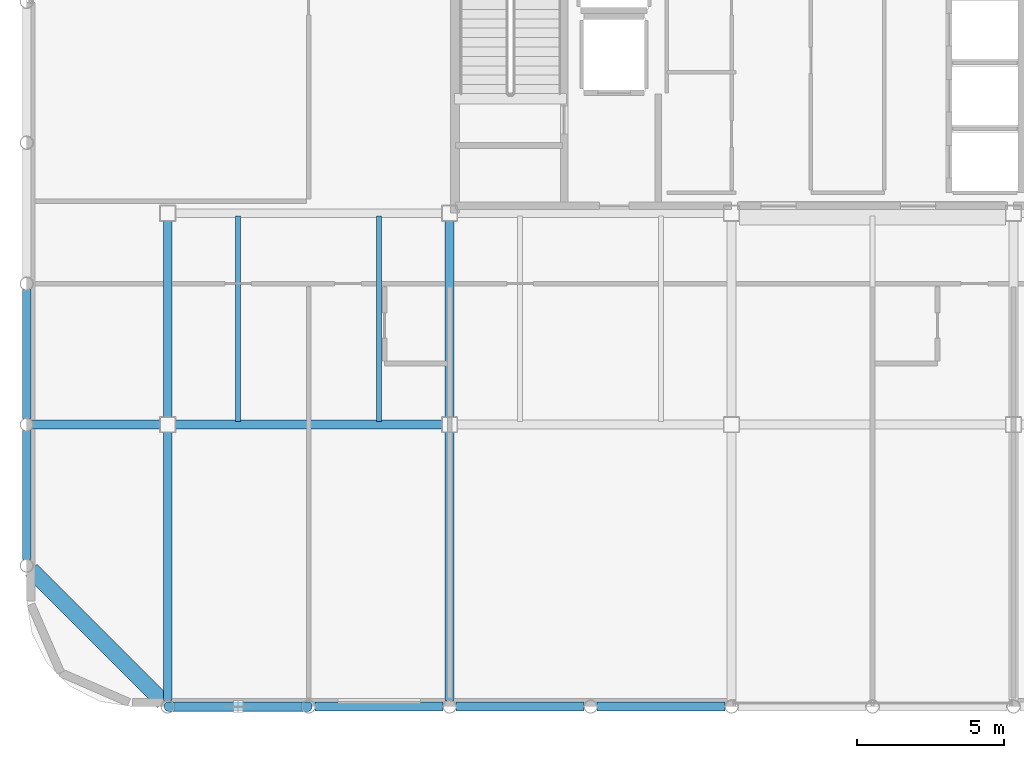
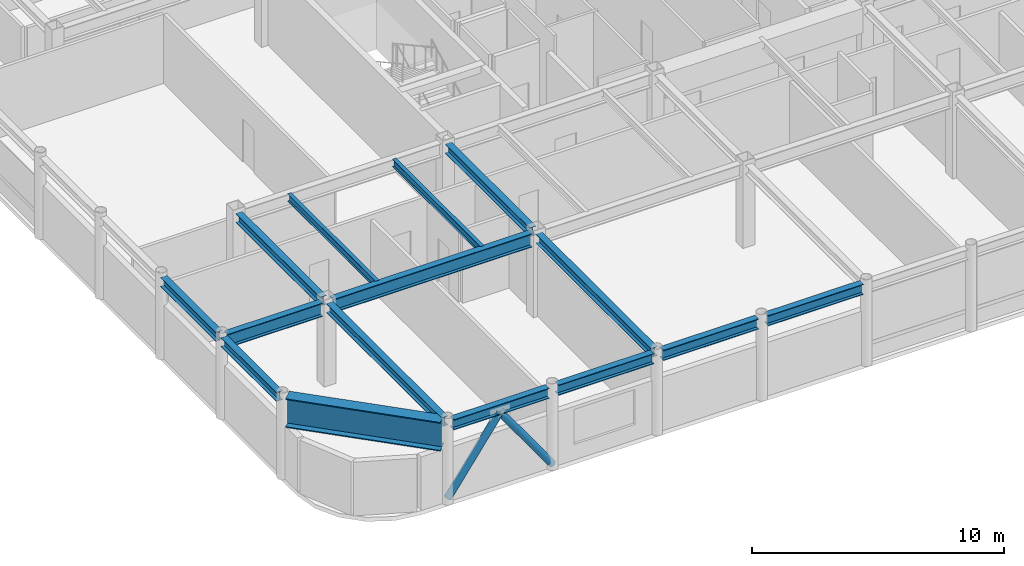
# One storey, part 4 of 21: 15 beams, 2 members.
"""IFC4 building model written with IfcOpenShell, lengths in metres."""

from ifc_helpers import new_model, si_unit, direction, frame, origin, origin_2d, place, context, subcontext, project, spatial, hollow_circle, i_section, extrude, material, material_profile, profile_set, type_object, element, save


model = new_model("IFC4")

# Units and contexts
model_context = context("Model", 3, precision=1e-05, world=origin(), true_north=direction((0.0, 1.0)))
body_context = subcontext(model_context, "Body", "Model", "MODEL_VIEW")
ifc_project = project(units=[si_unit("LENGTHUNIT", "METRE"), si_unit("AREAUNIT", "SQUARE_METRE"), si_unit("VOLUMEUNIT", "CUBIC_METRE"), si_unit("PLANEANGLEUNIT", "RADIAN"), si_unit("MASSUNIT", "GRAM", prefix="KILO")], contexts=[model_context])

# Site, building, storey
site_placement = place(None, origin())
site = spatial("IfcSite", under=ifc_project, at=site_placement, CompositionType="ELEMENT")
building_placement = place(site_placement, origin())
building = spatial("IfcBuilding", under=site, at=building_placement, Name="Kallvorn Hotel Tower", CompositionType="ELEMENT")
storey_placement = place(building_placement, frame((0.0, 0.0, 286.39990234375)))
storey = spatial("IfcBuildingStorey", under=building, at=storey_placement, Name="L71", CompositionType="ELEMENT", Elevation=286.39990234375)

# Beams
ifc_material_1 = material(Name="Structural steel S355JR", Category="steel")
ifc_material_profile_1 = material_profile(ifc_material_1, i_section(OverallWidth=0.300048828125, OverallDepth=0.43994140625, WebThickness=0.011474609375, FlangeThickness=0.02099609375, at=origin_2d()), Name="HE 450 A")
ifc_profile_set_1 = profile_set([ifc_material_profile_1], Name="Structural steel S355JR")
beam_type_1 = type_object("IfcBeamType", Name="BM_HE450A", PredefinedType="BEAM", material=ifc_profile_set_1)
for number, where, z_axis, x_axis, name in (
    (1, (-28.800048828125, -18.99658203125, 3.780029296875), (0.0, 1.0, 0.0), (-1.0, 0.0, 0.0), "L72 Primary Y-Girder 25"),
    (2, (-28.800048828125, -14.196533203125, 3.780029296875), (0.0, 1.0, 0.0), (-1.0, 0.0, 0.0), "L72 Primary Y-Girder 26"),
):
    element("IfcBeam", number, at=place(storey_placement, frame(where, z_axis=z_axis, x_axis=x_axis)), inside=storey, type_object=beam_type_1, Name=name, PredefinedType="BEAM", context=body_context, shape_type="SweptSolid", body=[
        extrude(i_section(OverallWidth=0.300048828125, OverallDepth=0.43994140625, WebThickness=0.011474609375, FlangeThickness=0.02099609375, at=origin_2d()), origin(), (0.0, 0.0, 1.0), 4.39306640625),
    ])
beam_1_placement = place(storey_placement, frame((-24.0, -23.79638671875, 3.780029296875), z_axis=(0.0, 1.0, 0.0), x_axis=(-1.0, 0.0, 0.0)))
element("IfcBeam", 3, at=beam_1_placement, inside=storey, type_object=beam_type_1, Name="L72 Primary Y-Girder 31", PredefinedType="BEAM", context=body_context, shape_type="SweptSolid", body=[
    extrude(i_section(OverallWidth=0.300048828125, OverallDepth=0.43994140625, WebThickness=0.011474609375, FlangeThickness=0.02099609375, at=origin_2d()), origin(), (0.0, 0.0, 1.0), 9.146484375),
])
beam_2_placement = place(storey_placement, frame((-24.0, -14.14990234375, 3.780029296875), z_axis=(0.0, 1.0, 0.0), x_axis=(-1.0, 0.0, 0.0)))
element("IfcBeam", 4, at=beam_2_placement, inside=storey, type_object=beam_type_1, Name="L72 Primary Y-Girder 32", PredefinedType="BEAM", context=body_context, shape_type="SweptSolid", body=[
    extrude(i_section(OverallWidth=0.300048828125, OverallDepth=0.43994140625, WebThickness=0.011474609375, FlangeThickness=0.02099609375, at=origin_2d()), origin(), (0.0, 0.0, 1.0), 6.699951171875),
])
beam_3_placement = place(storey_placement, frame((-14.39990234375, -23.79638671875, 3.780029296875), z_axis=(0.0, 1.0, 0.0), x_axis=(-1.0, 0.0, 0.0)))
element("IfcBeam", 5, at=beam_3_placement, inside=storey, type_object=beam_type_1, Name="L72 Primary Y-Girder 34", PredefinedType="BEAM", context=body_context, shape_type="SweptSolid", body=[
    extrude(i_section(OverallWidth=0.300048828125, OverallDepth=0.43994140625, WebThickness=0.011474609375, FlangeThickness=0.02099609375, at=origin_2d()), origin(), (0.0, 0.0, 1.0), 9.146484375),
])
beam_4_placement = place(storey_placement, frame((-14.39990234375, -14.14990234375, 3.780029296875), z_axis=(0.0, 1.0, 0.0), x_axis=(-1.0, 0.0, 0.0)))
element("IfcBeam", 6, at=beam_4_placement, inside=storey, type_object=beam_type_1, Name="L72 Primary Y-Girder 35", PredefinedType="BEAM", context=body_context, shape_type="SweptSolid", body=[
    extrude(i_section(OverallWidth=0.300048828125, OverallDepth=0.43994140625, WebThickness=0.011474609375, FlangeThickness=0.02099609375, at=origin_2d()), origin(), (0.0, 0.0, 1.0), 6.699951171875),
])
ifc_material_2 = material(Name="Structural steel S355JR", Category="steel")
ifc_material_profile_2 = material_profile(ifc_material_2, i_section(OverallWidth=0.300048828125, OverallDepth=0.5, WebThickness=0.014404296875, FlangeThickness=0.028076171875, at=origin_2d()), Name="HE 500 B")
ifc_profile_set_2 = profile_set([ifc_material_profile_2], Name="Structural steel S355JR")
beam_type_2 = type_object("IfcBeamType", Name="BM_HE500B", PredefinedType="SPANDREL", material=ifc_profile_set_2)
for number, where, z_axis, x_axis, name in (
    (7, (-23.781494140625, -24.0, 3.75), (1.0, 0.0, 0.0), (0.0, 1.0, 0.0), "L72 Perimeter Spandrel 54"),
    (8, (-18.9814453125, -24.0, 3.75), (1.0, 0.0, 0.0), (0.0, 1.0, 0.0), "L72 Perimeter Spandrel 55"),
):
    element("IfcBeam", number, at=place(storey_placement, frame(where, z_axis=z_axis, x_axis=x_axis)), inside=storey, type_object=beam_type_2, Name=name, PredefinedType="SPANDREL", context=body_context, shape_type="SweptSolid", body=[
        extrude(i_section(OverallWidth=0.300048828125, OverallDepth=0.5, WebThickness=0.014404296875, FlangeThickness=0.028076171875, at=origin_2d()), origin(), (0.0, 0.0, 1.0), 4.363037109375),
    ])
beam_5_placement = place(storey_placement, frame((-14.181396484375, -24.0, 3.75), z_axis=(1.0, 0.0, 0.0), x_axis=(0.0, 1.0, 0.0)))
element("IfcBeam", 9, at=beam_5_placement, inside=storey, type_object=beam_type_2, Name="L72 Perimeter Spandrel 56", PredefinedType="SPANDREL", context=body_context, shape_type="SweptSolid", body=[
    extrude(i_section(OverallWidth=0.300048828125, OverallDepth=0.5, WebThickness=0.014404296875, FlangeThickness=0.028076171875, at=origin_2d()), origin(), (0.0, 0.0, 1.0), 4.36279296875),
])
beam_6_placement = place(storey_placement, frame((-9.381591796875, -24.0, 3.75), z_axis=(1.0, 0.0, 0.0), x_axis=(0.0, 1.0, 0.0)))
element("IfcBeam", 10, at=beam_6_placement, inside=storey, type_object=beam_type_2, Name="L72 Perimeter Spandrel 57", PredefinedType="SPANDREL", context=body_context, shape_type="SweptSolid", body=[
    extrude(i_section(OverallWidth=0.300048828125, OverallDepth=0.5, WebThickness=0.014404296875, FlangeThickness=0.028076171875, at=origin_2d()), origin(), (0.0, 0.0, 1.0), 4.363037109375),
])
ifc_material_3 = material(Name="Structural steel S355JR", Category="steel")
ifc_material_profile_3 = material_profile(ifc_material_3, i_section(OverallWidth=0.300048828125, OverallDepth=0.64990234375, WebThickness=0.01611328125, FlangeThickness=0.031005859375, at=origin_2d()), Name="HE 650 B")
ifc_profile_set_3 = profile_set([ifc_material_profile_3], Name="Structural steel S355JR")
beam_type_3 = type_object("IfcBeamType", Name="BM_HE650B", PredefinedType="BEAM", material=ifc_profile_set_3)
beam_7_placement = place(storey_placement, frame((-28.596435546875, -14.39990234375, 3.675048828125), z_axis=(1.0, 0.0, 0.0), x_axis=(0.0, 1.0, 0.0)))
element("IfcBeam", 11, at=beam_7_placement, inside=storey, type_object=beam_type_3, Name="L72 Primary X-Girder 01", PredefinedType="BEAM", context=body_context, shape_type="SweptSolid", body=[
    extrude(i_section(OverallWidth=0.300048828125, OverallDepth=0.64990234375, WebThickness=0.01611328125, FlangeThickness=0.031005859375, at=origin_2d()), origin(), (0.0, 0.0, 1.0), 4.346435546875),
])
beam_8_placement = place(storey_placement, frame((-23.75, -14.39990234375, 3.675048828125), z_axis=(1.0, 0.0, 0.0), x_axis=(0.0, 1.0, 0.0)))
element("IfcBeam", 12, at=beam_8_placement, inside=storey, type_object=beam_type_3, Name="L72 Primary X-Girder 02", PredefinedType="BEAM", context=body_context, shape_type="SweptSolid", body=[
    extrude(i_section(OverallWidth=0.300048828125, OverallDepth=0.64990234375, WebThickness=0.01611328125, FlangeThickness=0.031005859375, at=origin_2d()), origin(), (0.0, 0.0, 1.0), 9.10009765625),
])
ifc_material_4 = material(Name="Structural steel S355JR", Category="steel")
ifc_material_profile_4 = material_profile(ifc_material_4, i_section(OverallWidth=0.169921875, OverallDepth=0.360107421875, WebThickness=0.008056640625, FlangeThickness=0.0126953125, at=origin_2d()), Name="IPE 360")
ifc_profile_set_4 = profile_set([ifc_material_profile_4], Name="Structural steel S355JR")
beam_type_4 = type_object("IfcBeamType", Name="BM_IPE360", PredefinedType="JOIST", material=ifc_profile_set_4)
for number, where, z_axis, x_axis, name in (
    (13, (-21.60009765625, -14.300048828125, 3.820068359375), (0.0, 1.0, 0.0), (-1.0, 0.0, 0.0), "L72 Secondary Composite Joist 90"),
    (14, (-16.800048828125, -14.300048828125, 3.820068359375), (0.0, 1.0, 0.0), (-1.0, 0.0, 0.0), "L72 Secondary Composite Joist 92"),
):
    element("IfcBeam", number, at=place(storey_placement, frame(where, z_axis=z_axis, x_axis=x_axis)), inside=storey, type_object=beam_type_4, Name=name, PredefinedType="JOIST", context=body_context, shape_type="SweptSolid", body=[
        extrude(i_section(OverallWidth=0.169921875, OverallDepth=0.360107421875, WebThickness=0.008056640625, FlangeThickness=0.0126953125, at=origin_2d()), origin(), (0.0, 0.0, 1.0), 7.0),
    ])
ifc_material_5 = material(Name="Structural steel S355JR", Category="steel")
ifc_material_profile_5 = material_profile(ifc_material_5, i_section(OverallWidth=0.550048828125, OverallDepth=1.39990234375, WebThickness=0.02490234375, FlangeThickness=0.044921875, at=origin_2d()), Name="PG 1400x550x25x45")
ifc_profile_set_5 = profile_set([ifc_material_profile_5], Name="Structural steel S355JR")
beam_type_5 = type_object("IfcBeamType", Name="BM_PG_1400", PredefinedType="BEAM", material=ifc_profile_set_5)
beam_9_placement = place(storey_placement, frame((-28.6455078125, -19.3544921875, 3.300048828125), z_axis=(0.707106781187, -0.707106781187, 0.0), x_axis=(0.707106781187, 0.707106781187, 0.0)))
element("IfcBeam", 15, at=beam_9_placement, inside=storey, type_object=beam_type_5, Name="L72 Rounded Corner Tie Beam 86", PredefinedType="BEAM", context=body_context, shape_type="SweptSolid", body=[
    extrude(i_section(OverallWidth=0.550048828125, OverallDepth=1.39990234375, WebThickness=0.02490234375, FlangeThickness=0.044921875, at=origin_2d()), origin(), (0.0, 0.0, 1.0), 6.35107421875),
])

# Members
ifc_material_6 = material(Name="Structural steel S355J2H", Category="steel")
ifc_material_profile_6 = material_profile(ifc_material_6, hollow_circle(Radius=0.161865234375, WallThickness=0.012451171875, at=origin_2d()), Name="CHS 323.9x12.5")
ifc_profile_set_6 = profile_set([ifc_material_profile_6], Name="Structural steel S355J2H")
member_type = type_object("IfcMemberType", Name="MBR_EXO_CHS323", PredefinedType="BRACE", material=ifc_profile_set_6)
for number, where, z_axis, x_axis, name in (
    (16, (-23.98828125, -24.0, 0.1962890625), (0.581238193719, 0.0, 0.813733471207), (0.0, 1.0, 0.0), "L71 Exoskeleton K-Brace S1A"),
    (17, (-19.211669921875, -24.0, 0.1962890625), (-0.581238193719, 0.0, 0.813733471207), (0.0, -1.0, 0.0), "L71 Exoskeleton K-Brace S1B"),
):
    element("IfcMember", number, at=place(storey_placement, frame(where, z_axis=z_axis, x_axis=x_axis)), inside=storey, type_object=member_type, Name=name, PredefinedType="BRACE", context=body_context, shape_type="SweptSolid", body=[
        extrude(hollow_circle(Radius=0.161865234375, WallThickness=0.012451171875, at=origin_2d()), origin(), (0.0, 0.0, 1.0), 4.089111328125),
    ])

save(model, "model.ifc")
